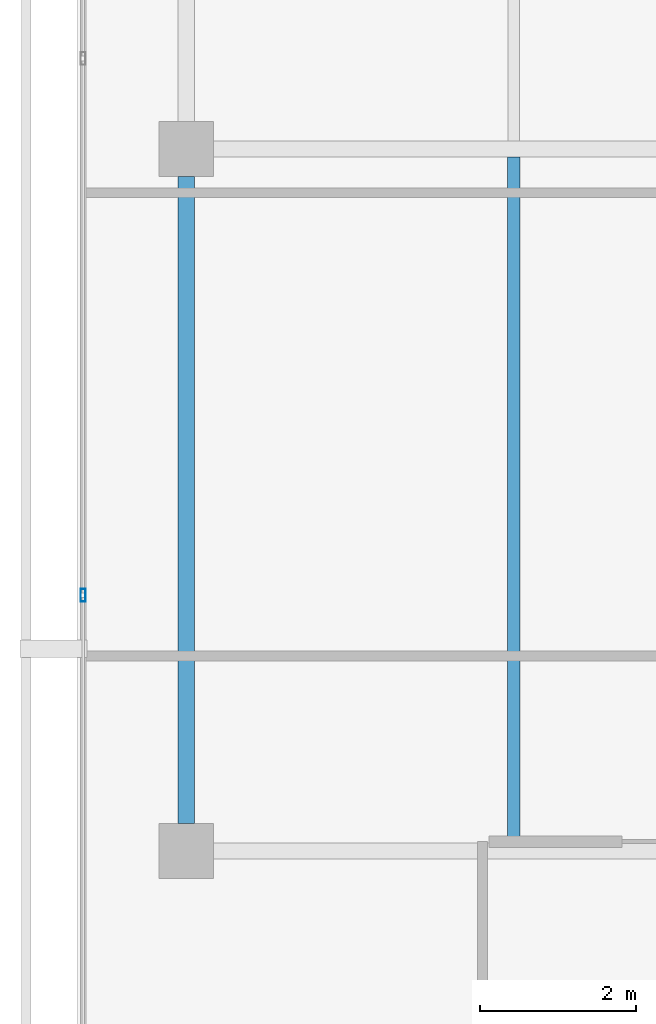
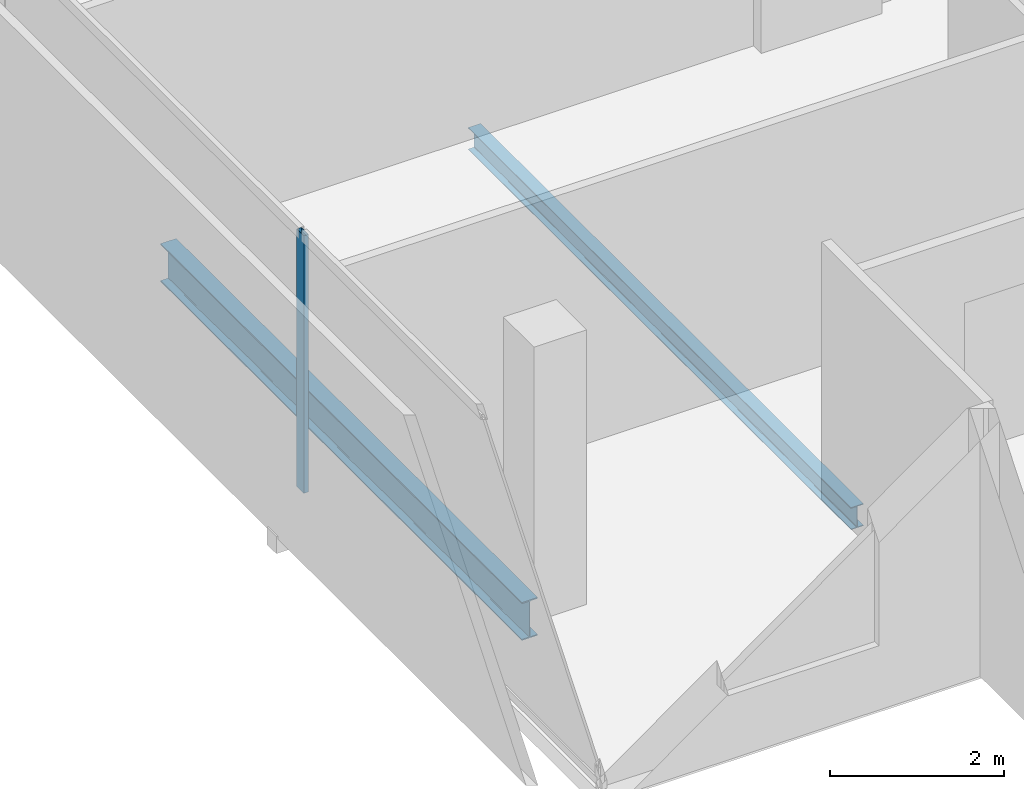
# One storey, part 4 of 25: 2 beams, 1 member, 1 element without a shape of its own.
"""IFC4 building model written with IfcOpenShell, lengths in metres."""

from ifc_helpers import new_model, si_unit, direction, frame, origin, origin_2d, place, context, subcontext, project, spatial, hollow_rectangle, i_section, extrude, material, layer, layer_set, material_profile, profile_set, type_object, element, aggregate, save


model = new_model("IFC4")

# Units and contexts
model_context = context("Model", 3, precision=1e-05, world=origin(), true_north=direction((0.0, 1.0)))
body_context = subcontext(model_context, "Body", "Model", "MODEL_VIEW")
ifc_project = project(units=[si_unit("LENGTHUNIT", "METRE"), si_unit("AREAUNIT", "SQUARE_METRE"), si_unit("VOLUMEUNIT", "CUBIC_METRE"), si_unit("PLANEANGLEUNIT", "RADIAN"), si_unit("MASSUNIT", "GRAM", prefix="KILO")], contexts=[model_context])

# Site, building, storey
site_placement = place(None, origin())
site = spatial("IfcSite", under=ifc_project, at=site_placement, CompositionType="ELEMENT")
building_placement = place(site_placement, origin())
building = spatial("IfcBuilding", under=site, at=building_placement, Name="Maruvema Waterfront Hotel and Observation Tower", CompositionType="ELEMENT")
storey_placement = place(building_placement, frame((0.0, 0.0, 262.5)))
storey = spatial("IfcBuildingStorey", under=building, at=storey_placement, Name="L64", CompositionType="ELEMENT", Elevation=262.5)

# Curtain wall, member
ifc_material_1 = material(Name="Anodised bronze aluminium and solar-control low-E IGU", Category="aluminium")
ifc_layer = layer(ifc_material_1, 0.159912109375, Name="Zone 3 Champagne Inner Thermal Curtain Wall System CW-04")
ifc_layer_set = layer_set([ifc_layer], Name="Anodised bronze aluminium and solar-control low-E IGU")
curtain_wall_type = type_object("IfcCurtainWallType", Name="Zone 3 Champagne Inner Thermal Curtain Wall System CW-04", PredefinedType="USERDEFINED", material=ifc_layer_set)
curtain_wall_placement = place(storey_placement, origin())
curtain_wall = element("IfcCurtainWall", 1, at=curtain_wall_placement, inside=storey, type_object=curtain_wall_type, Name="L64 Curtain Wall CW-L64-W", ObjectType="UNITISED CURTAIN WALL", PredefinedType="USERDEFINED")
ifc_material_2 = material(Name="Anodised architectural bronze aluminium", Category="aluminium")
ifc_material_profile_1 = material_profile(ifc_material_2, hollow_rectangle(XDim=0.06494140625, YDim=0.1650390625, WallThickness=0.00390625, at=origin_2d()), Name="ALU-M65x165")
ifc_profile_set_1 = profile_set([ifc_material_profile_1], Name="Anodised architectural bronze aluminium")
member_type = type_object("IfcMemberType", Name="Curtain Wall Primary Mullion ALU-M65x165", PredefinedType="MULLION", material=ifc_profile_set_1)
member_placement = place(storey_placement, frame((15.47998046875, 21.280029296875, 0.0), z_axis=(0.0, 0.0, 1.0), x_axis=(1.0, 0.0, 0.0)))
member = element("IfcMember", 2, at=member_placement, type_object=member_type, Name="CW-04 mullion 5", PredefinedType="MULLION", context=body_context, shape_type="SweptSolid", body=[
    extrude(hollow_rectangle(XDim=0.06494140625, YDim=0.1650390625, WallThickness=0.00390625, at=origin_2d()), origin(), (0.0, 0.0, 1.0), 3.610107421875),
])
aggregate(curtain_wall, [member])

# Beams
ifc_material_3 = material(Name="Steel ASTM A572 Grade 50", Category="steel")
ifc_material_profile_2 = material_profile(ifc_material_3, i_section(OverallWidth=0.208984375, OverallDepth=0.532958984375, WebThickness=0.01025390625, FlangeThickness=0.015625, FilletRadius=0.014892578125, at=origin_2d()), Name="W530x92.0")
ifc_profile_set_2 = profile_set([ifc_material_profile_2], Name="Steel ASTM A572 Grade 50")
beam_type_1 = type_object("IfcBeamType", Name="Primary Floor Girder W530x92.0", PredefinedType="BEAM", material=ifc_profile_set_2)
beam_1_placement = place(storey_placement, frame((16.800048828125, 18.35009765625, -0.506591796875), z_axis=(0.0, 1.0, 0.0), x_axis=(-1.0, 0.0, 0.0)))
element("IfcBeam", 3, at=beam_1_placement, inside=storey, type_object=beam_type_1, Name="L64 Floor Girder NS-01", PredefinedType="BEAM", context=body_context, shape_type="SweptSolid", body=[
    extrude(i_section(OverallWidth=0.208984375, OverallDepth=0.532958984375, WebThickness=0.01025390625, FlangeThickness=0.015625, FilletRadius=0.014892578125, at=origin_2d()), origin(), (0.0, 0.0, 1.0), 8.2998046875),
])
ifc_material_4 = material(Name="Steel ASTM A572 Grade 50", Category="steel")
ifc_material_profile_3 = material_profile(ifc_material_4, i_section(OverallWidth=0.1650390625, OverallDepth=0.31005859375, WebThickness=0.005859375, FlangeThickness=0.009765625, FilletRadius=0.012939453125, at=origin_2d()), Name="W310x38.7")
ifc_profile_set_3 = profile_set([ifc_material_profile_3], Name="Steel ASTM A572 Grade 50")
beam_type_2 = type_object("IfcBeamType", Name="Secondary Floor Joist W310x38.7", PredefinedType="JOIST", material=ifc_profile_set_3)
beam_2_placement = place(storey_placement, frame((21.0, 18.1044921875, -0.39501953125), z_axis=(0.0, 1.0, 0.0), x_axis=(-1.0, 0.0, 0.0)))
element("IfcBeam", 4, at=beam_2_placement, inside=storey, type_object=beam_type_2, Name="L64 Secondary Floor Joist JS-01", PredefinedType="JOIST", context=body_context, shape_type="SweptSolid", body=[
    extrude(i_section(OverallWidth=0.1650390625, OverallDepth=0.31005859375, WebThickness=0.005859375, FlangeThickness=0.009765625, FilletRadius=0.012939453125, at=origin_2d()), origin(), (0.0, 0.0, 1.0), 8.791015625),
])

save(model, "model.ifc")
